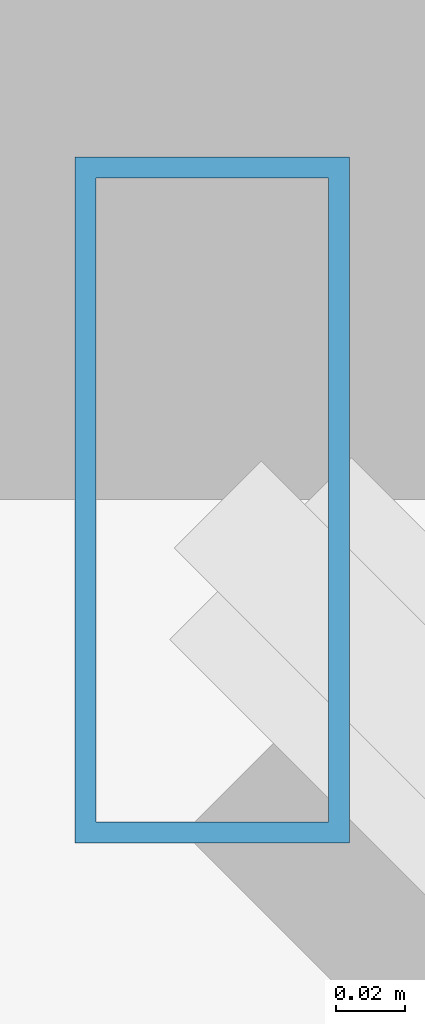
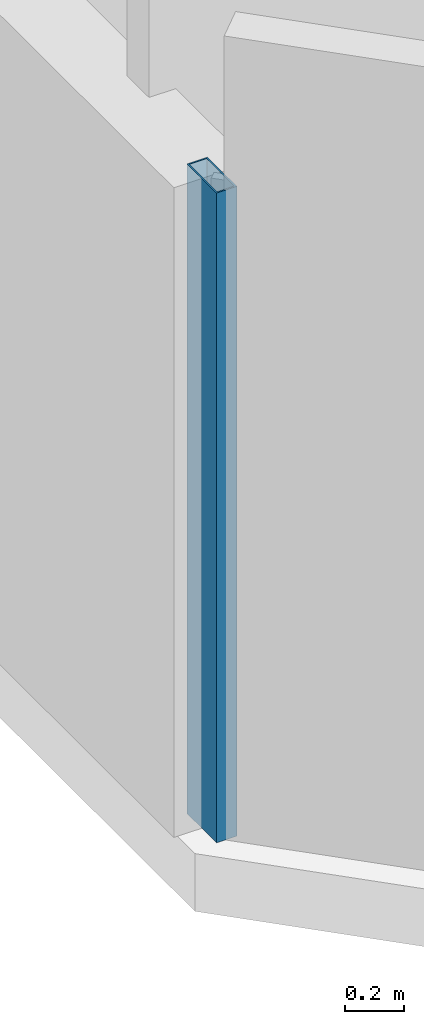
# One storey, part 6 of 32: 1 member, 1 element without a shape of its own.
"""IFC4 building model written with IfcOpenShell, lengths in metres."""

from ifc_helpers import new_model, si_unit, direction, frame, origin, origin_2d, place, context, subcontext, project, spatial, hollow_rectangle, extrude, material, material_profile, profile_set, type_object, element, aggregate, save


model = new_model("IFC4")

# Units and contexts
model_context = context("Model", 3, precision=1e-05, world=origin(), true_north=direction((0.0, 1.0)))
body_context = subcontext(model_context, "Body", "Model", "MODEL_VIEW")
ifc_project = project(units=[si_unit("LENGTHUNIT", "METRE"), si_unit("AREAUNIT", "SQUARE_METRE"), si_unit("VOLUMEUNIT", "CUBIC_METRE"), si_unit("PLANEANGLEUNIT", "RADIAN"), si_unit("MASSUNIT", "GRAM", prefix="KILO")], contexts=[model_context])

# Site, building, storey
site_placement = place(None, origin())
site = spatial("IfcSite", under=ifc_project, at=site_placement, CompositionType="ELEMENT")
building_placement = place(site_placement, origin())
building = spatial("IfcBuilding", under=site, at=building_placement, Name="Thornwick Lancets Civic Towers", CompositionType="ELEMENT")
storey_placement = place(building_placement, frame((0.0, 0.0, 156.300048828125)))
storey = spatial("IfcBuildingStorey", under=building, at=storey_placement, Name="L41", CompositionType="ELEMENT", Elevation=156.300048828125)

# Curtain wall, member
ifc_material_1 = material(Name="Mid-zone chamfered-corner unitised glass curtain wall", Category="glass")
curtain_wall_type = type_object("IfcCurtainWallType", Name="CW_SYS_04", PredefinedType="NOTDEFINED", material=ifc_material_1)
curtain_wall_placement = place(storey_placement, origin())
curtain_wall = element("IfcCurtainWall", 1, at=curtain_wall_placement, inside=storey, type_object=curtain_wall_type, Name="L41 Curtain Wall CW-L41-B-E7", PredefinedType="NOTDEFINED")
ifc_material_2 = material(Name="Thermally broken bronze aluminium S355", Category="steel")
ifc_material_profile = material_profile(ifc_material_2, hollow_rectangle(XDim=0.080078125, YDim=0.199951171875, WallThickness=0.006103515625, at=origin_2d()), Name="RHS 200x80x6")
ifc_profile_set = profile_set([ifc_material_profile], Name="Thermally broken bronze aluminium S355")
member_type = type_object("IfcMemberType", Name="CW_MUL_200", PredefinedType="MULLION", material=ifc_profile_set)
member_placement = place(storey_placement, frame((70.7353515625, 11.818603515625, 0.0), z_axis=(0.0, 0.0, 1.0), x_axis=(1.0, 0.0, 0.0)))
member = element("IfcMember", 2, at=member_placement, type_object=member_type, Name="CW-L41-B-E7 Mullion 0", PredefinedType="MULLION", context=body_context, shape_type="SweptSolid", body=[
    extrude(hollow_rectangle(XDim=0.080078125, YDim=0.199951171875, WallThickness=0.006103515625, at=origin_2d()), origin(), (0.0, 0.0, 1.0), 2.699951171875),
])
aggregate(curtain_wall, [member])

save(model, "model.ifc")
